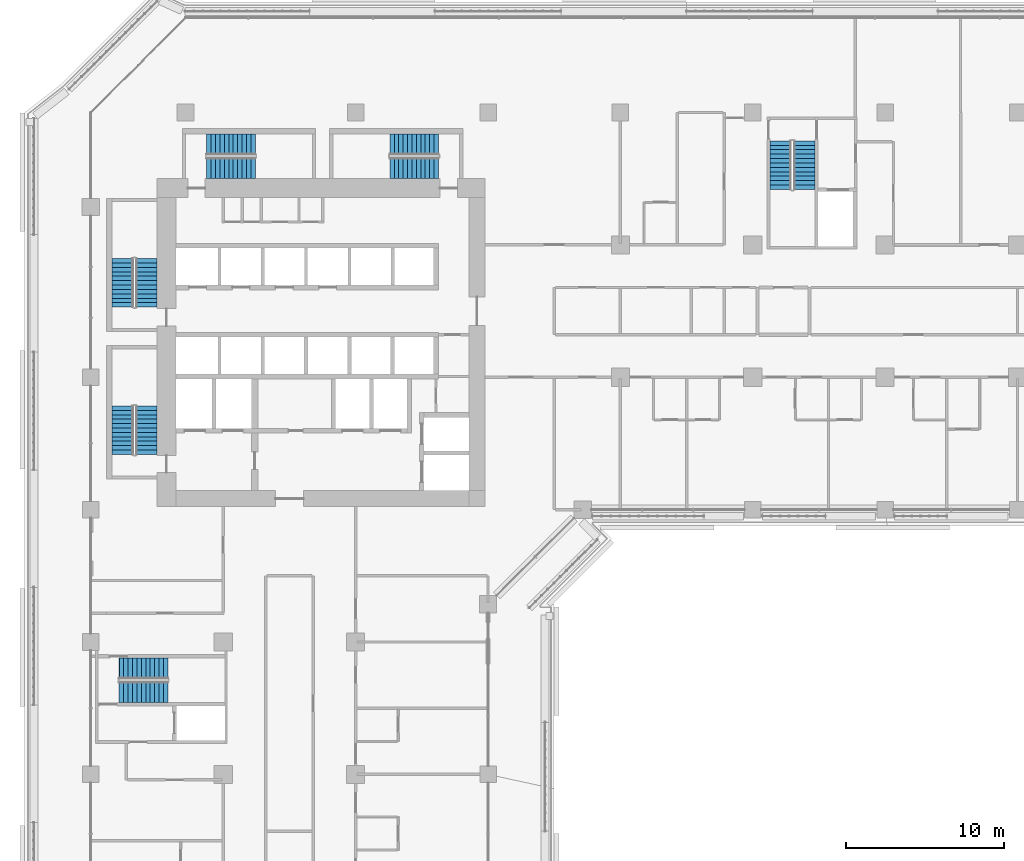
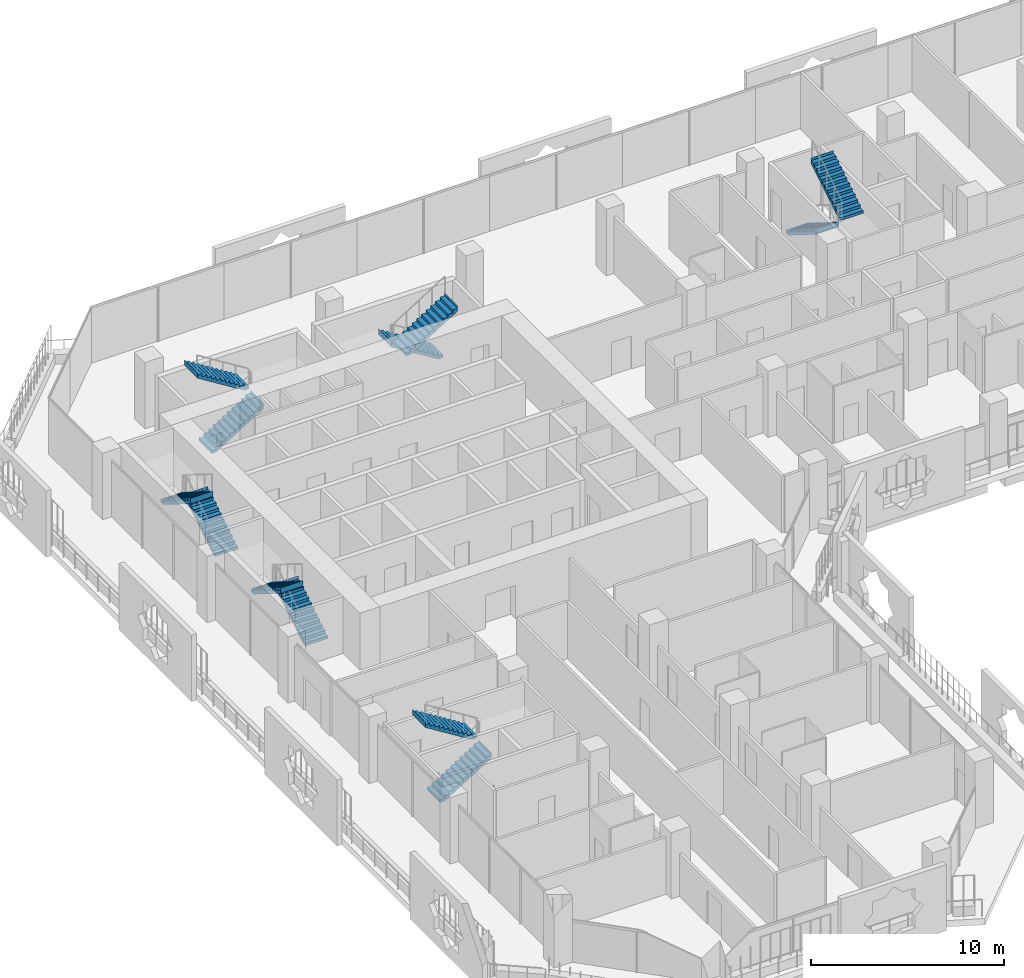
# One storey, part 18 of 25: 12 stair flights, 6 elements without a shape of their own.
"""IFC4 building model written with IfcOpenShell, lengths in metres."""

import ifcopenshell
import ifcopenshell.guid

model = None  # the IFC model being written
_history = None  # IfcOwnerHistory: only IFC2X3 demands one
_inside = {}  # id of a spatial element -> (the spatial element, [elements in it])
_under = {}  # id of a project, library or spatial element -> (it, [spatial elements below it])
_declared = {}  # id of a project -> (the project, [libraries it declares])
_typed = {}  # id of a type object -> (the type object, [elements of that type])
_made_of = {}  # id of a material, layer set ... -> (it, [elements and type objects made of it])


def new_model(schema):
    """Start an empty IFC model of exactly this schema.

    Asked for "IFC4X3", IfcOpenShell would pick the latest addendum, in which some entities
    have other attributes; the version numbers below select the first issue.
    IFC2X3 requires an IfcOwnerHistory on every rooted entity: one is made here for all.
    """
    global model, _history
    if schema == "IFC4X3":
        model = ifcopenshell.file(schema_version=(4, 3, 0, 0))
    else:
        model = ifcopenshell.file(schema=schema)
    _inside.clear()
    _under.clear()
    _declared.clear()
    _typed.clear()
    _made_of.clear()
    _history = None
    if model.schema == "IFC2X3":
        org = make("IfcOrganization", Name="unknown")
        user = make(
            "IfcPersonAndOrganization",
            ThePerson=make("IfcPerson", FamilyName="unknown"),
            TheOrganization=org,
        )
        app = make(
            "IfcApplication",
            ApplicationDeveloper=org,
            Version="unknown",
            ApplicationFullName="unknown",
            ApplicationIdentifier="unknown",
        )
        _history = make(
            "IfcOwnerHistory",
            OwningUser=user,
            OwningApplication=app,
            ChangeAction="ADDED",
            CreationDate=0,
        )
    return model


def make(cls, **values):
    """One entity of the class cls with the attributes given. An attribute that is None is left unset."""
    return model.create_entity(
        cls, **{name: value for name, value in values.items() if value is not None}
    )


def rooted(cls, **values):
    """An entity with a GlobalId (a new one), such as an element, a storey or a relation."""
    return make(cls, GlobalId=ifcopenshell.guid.new(), OwnerHistory=_history, **values)


def si_unit(unit_type, name, prefix=None):
    """IfcSIUnit, for example si_unit("LENGTHUNIT", "METRE", prefix="MILLI")."""
    return make("IfcSIUnit", UnitType=unit_type, Prefix=prefix, Name=name)


def assignment(units):
    """IfcUnitAssignment: the units of a project."""
    return None if units is None else make("IfcUnitAssignment", Units=units)


def point(xyz):
    """IfcCartesianPoint."""
    return None if xyz is None else make("IfcCartesianPoint", Coordinates=xyz)


def direction(xyz):
    """IfcDirection."""
    return None if xyz is None else make("IfcDirection", DirectionRatios=xyz)


def frame(location, z_axis=None, x_axis=None):
    """IfcAxis2Placement3D, a coordinate frame: its origin and axes. An axis left out is left unset."""
    return make(
        "IfcAxis2Placement3D",
        Location=point(location),
        Axis=direction(z_axis),
        RefDirection=direction(x_axis),
    )


def origin():
    """The frame at (0, 0, 0) with its axes left unset."""
    return frame((0.0, 0.0, 0.0))


def place(relative_to, where):
    """IfcLocalPlacement: puts the frame where relative to a parent placement (None: the world)."""
    return make(
        "IfcLocalPlacement", PlacementRelTo=relative_to, RelativePlacement=where
    )


def context(
    kind, dimensions, precision=None, world=None, true_north=None, identifier=None
):
    """IfcGeometricRepresentationContext, for example the 3D "Model" context."""
    return make(
        "IfcGeometricRepresentationContext",
        ContextIdentifier=identifier,
        ContextType=kind,
        CoordinateSpaceDimension=dimensions,
        Precision=precision,
        WorldCoordinateSystem=world,
        TrueNorth=true_north,
    )


def subcontext(parent, identifier, kind, view, scale=None):
    """IfcGeometricRepresentationSubContext, for example "Body" below "Model"."""
    return make(
        "IfcGeometricRepresentationSubContext",
        ContextIdentifier=identifier,
        ContextType=kind,
        ParentContext=parent,
        TargetScale=scale,
        TargetView=view,
    )


def project(units=None, contexts=None):
    """IfcProject with its units and contexts."""
    return rooted(
        "IfcProject",
        Name="project",
        RepresentationContexts=contexts,
        UnitsInContext=assignment(units),
    )


def spatial(cls, under=None, at=None, **own):
    """A site, building, storey or space (cls), placed at a placement, below another one or the project."""
    s = rooted(cls, ObjectPlacement=at, **own)
    if under is not None:
        _under.setdefault(under.id(), (under, []))[1].append(s)
    return s


def polyline(points):
    """IfcPolyline through the points."""
    return make("IfcPolyline", Points=[point(p) for p in points])


def outline(outer, holes=None, kind="AREA"):
    """IfcArbitraryClosedProfileDef: a profile drawn as a closed curve; with holes, ...WithVoids."""
    if holes is None:
        return make("IfcArbitraryClosedProfileDef", ProfileType=kind, OuterCurve=outer)
    return make(
        "IfcArbitraryProfileDefWithVoids",
        ProfileType=kind,
        OuterCurve=outer,
        InnerCurves=holes,
    )


def extrude(swept, where, along, depth):
    """IfcExtrudedAreaSolid: the profile swept, set in the frame where, extruded along a direction by depth."""
    return make(
        "IfcExtrudedAreaSolid",
        SweptArea=swept,
        Position=where,
        ExtrudedDirection=direction(along),
        Depth=depth,
    )


def shape(context_of_items, identifier, shape_type, items):
    """IfcShapeRepresentation: the items that make up one representation, for example the "Body"."""
    return make(
        "IfcShapeRepresentation",
        ContextOfItems=context_of_items,
        RepresentationIdentifier=identifier,
        RepresentationType=shape_type,
        Items=items,
    )


def material(Name=None, Category=None):
    """IfcMaterial."""
    return make("IfcMaterial", Name=Name, Category=Category)


def made_of(thing, what):
    """Note that an element or type object is made of a material, layer set ...; save() writes the relation."""
    if what is not None:
        _made_of.setdefault(what.id(), (what, []))[1].append(thing)
    return thing


def type_object(cls, material=None, **own):
    """A type object (cls), such as IfcWallType, which elements share."""
    return made_of(rooted(cls, **own), material)


def element(
    cls,
    number,
    at=None,
    inside=None,
    cuts=None,
    type_object=None,
    material=None,
    context=None,
    identifier="Body",
    shape_type=None,
    held_by="IfcProductDefinitionShape",
    body=None,
    shapes=None,
    **own,
):
    """One element of the class cls, such as IfcWall. Its Tag is "e" and its number.

    at: its placement. inside: the storey or other place that contains it. cuts: it is an
    opening in that element (IfcRelVoidsElement). A single representation is given by context,
    identifier, shape_type and body (its items); several are given by shapes. held_by: the class
    of the entity that holds the representations. save() writes the other relations.
    """
    e = rooted(cls, Tag="e%d" % number, ObjectPlacement=at, **own)
    if body is not None:
        shapes = [shape(context, identifier, shape_type, body)]
    if shapes is not None:
        e.Representation = make(held_by, Representations=shapes)
    if inside is not None:
        _inside.setdefault(inside.id(), (inside, []))[1].append(e)
    if cuts is not None:
        rooted(
            "IfcRelVoidsElement", RelatingBuildingElement=cuts, RelatedOpeningElement=e
        )
    if type_object is not None:
        _typed.setdefault(type_object.id(), (type_object, []))[1].append(e)
    return made_of(e, material)


def aggregate(whole, parts):
    """IfcRelAggregates: a whole, such as a stair, and the parts it consists of."""
    return rooted("IfcRelAggregates", RelatingObject=whole, RelatedObjects=parts)


def save(model, path):
    """Write the relations noted so far, then the file.

    IfcRelAggregates (storeys below a building ...), IfcRelContainedInSpatialStructure (elements
    in a storey), IfcRelDefinesByType, IfcRelAssociatesMaterial and IfcRelDeclares: one each for
    every whole, place, type object, material and project.
    """
    for whole, parts in _under.values():
        aggregate(whole, parts)
    for where, things in _inside.values():
        rooted(
            "IfcRelContainedInSpatialStructure",
            RelatedElements=things,
            RelatingStructure=where,
        )
    for kind, things in _typed.values():
        rooted("IfcRelDefinesByType", RelatedObjects=things, RelatingType=kind)
    for what, things in _made_of.values():
        rooted("IfcRelAssociatesMaterial", RelatedObjects=things, RelatingMaterial=what)
    for by, libraries in _declared.values():
        rooted("IfcRelDeclares", RelatingContext=by, RelatedDefinitions=libraries)
    model.write(path)


model = new_model("IFC4")

# Units and contexts
model_context = context("Model", 3, precision=1e-05, world=origin(), true_north=direction((0.0, 1.0)))
body_context = subcontext(model_context, "Body", "Model", "MODEL_VIEW")
ifc_project = project(units=[si_unit("LENGTHUNIT", "METRE"), si_unit("AREAUNIT", "SQUARE_METRE"), si_unit("VOLUMEUNIT", "CUBIC_METRE"), si_unit("PLANEANGLEUNIT", "RADIAN"), si_unit("MASSUNIT", "GRAM", prefix="KILO")], contexts=[model_context])

# Site, building, storey
site_placement = place(None, origin())
site = spatial("IfcSite", under=ifc_project, at=site_placement, CompositionType="ELEMENT")
building_placement = place(site_placement, origin())
building = spatial("IfcBuilding", under=site, at=building_placement, Name="Kawkab Arch Medical Tower", CompositionType="ELEMENT")
storey_placement = place(building_placement, frame((0.0, 0.0, 140.800048828125)))
storey = spatial("IfcBuildingStorey", under=building, at=storey_placement, Name="L32", CompositionType="ELEMENT", Elevation=140.800048828125)

# Stair, stair flights
ifc_material_1 = material(Name="Concrete C40/50", Category="concrete")
stair_type = type_object("IfcStairType", Name="Exit stair 1350", PredefinedType="HALF_TURN_STAIR", material=ifc_material_1)
placement = place(storey_placement, origin())
stair_1 = element("IfcStair", 1, at=placement, inside=storey, type_object=stair_type, Name="L32 Exit stair ST1", PredefinedType="HALF_TURN_STAIR")
ifc_material_2 = material(Name="Concrete C40/50", Category="concrete")
stair_flight_type = type_object("IfcStairFlightType", Name="Exit stair flight 1350", PredefinedType="STRAIGHT", material=ifc_material_2)
stair_flight_1_placement = place(storey_placement, frame((3.52490234375, -12.35009765625, 0.0), z_axis=(0.0, 0.0, 1.0), x_axis=(0.0, 1.0, 0.0)))
stair_flight_1 = element("IfcStairFlight", 2, at=stair_flight_1_placement, type_object=stair_flight_type, Name="ST1 flight 1", NumberOfRisers=12, NumberOfTreads=11, PredefinedType="STRAIGHT", RiserHeight=0.175, TreadLength=0.28, context=body_context, shape_type="SweptSolid", body=[
    extrude(outline(polyline([(-0.0029296875, 0.0), (-0.0029296875, 0.175048828125), (0.0, 0.175048828125), (0.280029296875, 0.175048828125), (0.280029296875, 0.35009765625), (0.56005859375, 0.35009765625), (0.56005859375, 0.52490234375), (0.840087890625, 0.52490234375), (0.840087890625, 0.699951171875), (1.1201171875, 0.699951171875), (1.1201171875, 0.875), (1.39990234375, 0.875), (1.39990234375, 1.050048828125), (1.679931640625, 1.050048828125), (1.679931640625, 1.22509765625), (1.9599609375, 1.22509765625), (1.9599609375, 1.39990234375), (2.239990234375, 1.39990234375), (2.239990234375, 1.574951171875), (2.52001953125, 1.574951171875), (2.52001953125, 1.75), (2.800048828125, 1.75), (2.800048828125, 1.925048828125), (3.080078125, 1.925048828125), (3.080078125, 2.10009765625), (3.0830078125, 2.10009765625), (3.0830078125, 1.748291015625), (3.080078125, 1.748291015625), (0.28271484375, 0.0), (-0.0029296875, 0.0)])), frame((0.0, 0.675048828125, 0.0), z_axis=(0.0, -1.0, 0.0), x_axis=(1.0, 0.0, 0.0)), (0.0, 0.0, 1.0), 1.35009765625),
])
stair_flight_2_placement = place(storey_placement, frame((2.02490234375, -9.27001953125, 2.099853515625), z_axis=(0.0, 0.0, 1.0), x_axis=(0.0, -1.0, 0.0)))
stair_flight_2 = element("IfcStairFlight", 3, at=stair_flight_2_placement, type_object=stair_flight_type, Name="ST1 flight 2", NumberOfRisers=12, NumberOfTreads=11, PredefinedType="STRAIGHT", RiserHeight=0.175, TreadLength=0.28, context=body_context, shape_type="SweptSolid", body=[
    extrude(outline(polyline([(-0.0029296875, 0.0), (-0.0029296875, 0.175048828125), (0.0, 0.175048828125), (0.280029296875, 0.175048828125), (0.280029296875, 0.35009765625), (0.56005859375, 0.35009765625), (0.56005859375, 0.52490234375), (0.840087890625, 0.52490234375), (0.840087890625, 0.699951171875), (1.1201171875, 0.699951171875), (1.1201171875, 0.875), (1.39990234375, 0.875), (1.39990234375, 1.050048828125), (1.679931640625, 1.050048828125), (1.679931640625, 1.22509765625), (1.9599609375, 1.22509765625), (1.9599609375, 1.39990234375), (2.239990234375, 1.39990234375), (2.239990234375, 1.574951171875), (2.52001953125, 1.574951171875), (2.52001953125, 1.75), (2.800048828125, 1.75), (2.800048828125, 1.925048828125), (3.080078125, 1.925048828125), (3.080078125, 2.10009765625), (3.0830078125, 2.10009765625), (3.0830078125, 1.748291015625), (3.080078125, 1.748291015625), (0.28271484375, 0.0), (-0.0029296875, 0.0)])), frame((0.0, 0.675048828125, 0.0), z_axis=(0.0, -1.0, 0.0), x_axis=(1.0, 0.0, 0.0)), (0.0, 0.0, 1.0), 1.35009765625),
])
aggregate(stair_1, [stair_flight_1, stair_flight_2])

stair_2 = element("IfcStair", 4, at=placement, inside=storey, type_object=stair_type, Name="L32 Exit stair ST2", PredefinedType="HALF_TURN_STAIR")
stair_flight_3_placement = place(storey_placement, frame((3.52490234375, -21.699951171875, 0.0), z_axis=(0.0, 0.0, 1.0), x_axis=(0.0, 1.0, 0.0)))
stair_flight_3 = element("IfcStairFlight", 5, at=stair_flight_3_placement, type_object=stair_flight_type, Name="ST2 flight 1", NumberOfRisers=12, NumberOfTreads=11, PredefinedType="STRAIGHT", RiserHeight=0.175, TreadLength=0.28, context=body_context, shape_type="SweptSolid", body=[
    extrude(outline(polyline([(-0.0029296875, 0.0), (-0.0029296875, 0.175048828125), (0.0, 0.175048828125), (0.280029296875, 0.175048828125), (0.280029296875, 0.35009765625), (0.56005859375, 0.35009765625), (0.56005859375, 0.52490234375), (0.840087890625, 0.52490234375), (0.840087890625, 0.699951171875), (1.1201171875, 0.699951171875), (1.1201171875, 0.875), (1.39990234375, 0.875), (1.39990234375, 1.050048828125), (1.679931640625, 1.050048828125), (1.679931640625, 1.22509765625), (1.9599609375, 1.22509765625), (1.9599609375, 1.39990234375), (2.239990234375, 1.39990234375), (2.239990234375, 1.574951171875), (2.52001953125, 1.574951171875), (2.52001953125, 1.75), (2.800048828125, 1.75), (2.800048828125, 1.925048828125), (3.080078125, 1.925048828125), (3.080078125, 2.10009765625), (3.0830078125, 2.10009765625), (3.0830078125, 1.748291015625), (3.080078125, 1.748291015625), (0.28271484375, 0.0), (-0.0029296875, 0.0)])), frame((0.0, 0.675048828125, 0.0), z_axis=(0.0, -1.0, 0.0), x_axis=(1.0, 0.0, 0.0)), (0.0, 0.0, 1.0), 1.35009765625),
])
stair_flight_4_placement = place(storey_placement, frame((2.02490234375, -18.6201171875, 2.099853515625), z_axis=(0.0, 0.0, 1.0), x_axis=(0.0, -1.0, 0.0)))
stair_flight_4 = element("IfcStairFlight", 6, at=stair_flight_4_placement, type_object=stair_flight_type, Name="ST2 flight 2", NumberOfRisers=12, NumberOfTreads=11, PredefinedType="STRAIGHT", RiserHeight=0.175, TreadLength=0.28, context=body_context, shape_type="SweptSolid", body=[
    extrude(outline(polyline([(-0.0029296875, 0.0), (-0.0029296875, 0.175048828125), (0.0, 0.175048828125), (0.280029296875, 0.175048828125), (0.280029296875, 0.35009765625), (0.56005859375, 0.35009765625), (0.56005859375, 0.52490234375), (0.840087890625, 0.52490234375), (0.840087890625, 0.699951171875), (1.1201171875, 0.699951171875), (1.1201171875, 0.875), (1.39990234375, 0.875), (1.39990234375, 1.050048828125), (1.679931640625, 1.050048828125), (1.679931640625, 1.22509765625), (1.9599609375, 1.22509765625), (1.9599609375, 1.39990234375), (2.239990234375, 1.39990234375), (2.239990234375, 1.574951171875), (2.52001953125, 1.574951171875), (2.52001953125, 1.75), (2.800048828125, 1.75), (2.800048828125, 1.925048828125), (3.080078125, 1.925048828125), (3.080078125, 2.10009765625), (3.0830078125, 2.10009765625), (3.0830078125, 1.748291015625), (3.080078125, 1.748291015625), (0.28271484375, 0.0), (-0.0029296875, 0.0)])), frame((0.0, 0.675048828125, 0.0), z_axis=(0.0, -1.0, 0.0), x_axis=(1.0, 0.0, 0.0)), (0.0, 0.0, 1.0), 1.35009765625),
])
aggregate(stair_2, [stair_flight_3, stair_flight_4])

stair_3 = element("IfcStair", 7, at=placement, inside=storey, type_object=stair_type, Name="L32 Exit stair ST3", PredefinedType="HALF_TURN_STAIR")
stair_flight_5_placement = place(storey_placement, frame((7.35009765625, -3.52490234375, 0.0), z_axis=(0.0, 0.0, 1.0), x_axis=(1.0, 0.0, 0.0)))
stair_flight_5 = element("IfcStairFlight", 8, at=stair_flight_5_placement, type_object=stair_flight_type, Name="ST3 flight 1", NumberOfRisers=12, NumberOfTreads=11, PredefinedType="STRAIGHT", RiserHeight=0.175, TreadLength=0.28, context=body_context, shape_type="SweptSolid", body=[
    extrude(outline(polyline([(-0.0029296875, 0.0), (-0.0029296875, 0.175048828125), (0.0, 0.175048828125), (0.280029296875, 0.175048828125), (0.280029296875, 0.35009765625), (0.56005859375, 0.35009765625), (0.56005859375, 0.52490234375), (0.840087890625, 0.52490234375), (0.840087890625, 0.699951171875), (1.1201171875, 0.699951171875), (1.1201171875, 0.875), (1.39990234375, 0.875), (1.39990234375, 1.050048828125), (1.679931640625, 1.050048828125), (1.679931640625, 1.22509765625), (1.9599609375, 1.22509765625), (1.9599609375, 1.39990234375), (2.239990234375, 1.39990234375), (2.239990234375, 1.574951171875), (2.52001953125, 1.574951171875), (2.52001953125, 1.75), (2.800048828125, 1.75), (2.800048828125, 1.925048828125), (3.080078125, 1.925048828125), (3.080078125, 2.10009765625), (3.0830078125, 2.10009765625), (3.0830078125, 1.748291015625), (3.080078125, 1.748291015625), (0.28271484375, 0.0), (-0.0029296875, 0.0)])), frame((0.0, 0.675048828125, 0.0), z_axis=(0.0, -1.0, 0.0), x_axis=(1.0, 0.0, 0.0)), (0.0, 0.0, 1.0), 1.35009765625),
])
stair_flight_6_placement = place(storey_placement, frame((10.429931640625, -2.02490234375, 2.099853515625), z_axis=(0.0, 0.0, 1.0), x_axis=(-1.0, 0.0, 0.0)))
stair_flight_6 = element("IfcStairFlight", 9, at=stair_flight_6_placement, type_object=stair_flight_type, Name="ST3 flight 2", NumberOfRisers=12, NumberOfTreads=11, PredefinedType="STRAIGHT", RiserHeight=0.175, TreadLength=0.28, context=body_context, shape_type="SweptSolid", body=[
    extrude(outline(polyline([(-0.0029296875, 0.0), (-0.0029296875, 0.175048828125), (0.0, 0.175048828125), (0.280029296875, 0.175048828125), (0.280029296875, 0.35009765625), (0.56005859375, 0.35009765625), (0.56005859375, 0.52490234375), (0.840087890625, 0.52490234375), (0.840087890625, 0.699951171875), (1.1201171875, 0.699951171875), (1.1201171875, 0.875), (1.39990234375, 0.875), (1.39990234375, 1.050048828125), (1.679931640625, 1.050048828125), (1.679931640625, 1.22509765625), (1.9599609375, 1.22509765625), (1.9599609375, 1.39990234375), (2.239990234375, 1.39990234375), (2.239990234375, 1.574951171875), (2.52001953125, 1.574951171875), (2.52001953125, 1.75), (2.800048828125, 1.75), (2.800048828125, 1.925048828125), (3.080078125, 1.925048828125), (3.080078125, 2.10009765625), (3.0830078125, 2.10009765625), (3.0830078125, 1.748291015625), (3.080078125, 1.748291015625), (0.28271484375, 0.0), (-0.0029296875, 0.0)])), frame((0.0, 0.675048828125, 0.0), z_axis=(0.0, -1.0, 0.0), x_axis=(1.0, 0.0, 0.0)), (0.0, 0.0, 1.0), 1.35009765625),
])
aggregate(stair_3, [stair_flight_5, stair_flight_6])

stair_4 = element("IfcStair", 10, at=placement, inside=storey, type_object=stair_type, Name="L32 Exit stair ST4", PredefinedType="HALF_TURN_STAIR")
stair_flight_7_placement = place(storey_placement, frame((22.050048828125, -2.02490234375, 0.0), z_axis=(0.0, 0.0, 1.0), x_axis=(-1.0, 0.0, 0.0)))
stair_flight_7 = element("IfcStairFlight", 11, at=stair_flight_7_placement, type_object=stair_flight_type, Name="ST4 flight 1", NumberOfRisers=12, NumberOfTreads=11, PredefinedType="STRAIGHT", RiserHeight=0.175, TreadLength=0.28, context=body_context, shape_type="SweptSolid", body=[
    extrude(outline(polyline([(-0.0029296875, 0.0), (-0.0029296875, 0.175048828125), (0.0, 0.175048828125), (0.280029296875, 0.175048828125), (0.280029296875, 0.35009765625), (0.56005859375, 0.35009765625), (0.56005859375, 0.52490234375), (0.840087890625, 0.52490234375), (0.840087890625, 0.699951171875), (1.1201171875, 0.699951171875), (1.1201171875, 0.875), (1.39990234375, 0.875), (1.39990234375, 1.050048828125), (1.679931640625, 1.050048828125), (1.679931640625, 1.22509765625), (1.9599609375, 1.22509765625), (1.9599609375, 1.39990234375), (2.239990234375, 1.39990234375), (2.239990234375, 1.574951171875), (2.52001953125, 1.574951171875), (2.52001953125, 1.75), (2.800048828125, 1.75), (2.800048828125, 1.925048828125), (3.080078125, 1.925048828125), (3.080078125, 2.10009765625), (3.0830078125, 2.10009765625), (3.0830078125, 1.748291015625), (3.080078125, 1.748291015625), (0.28271484375, 0.0), (-0.0029296875, 0.0)])), frame((0.0, 0.675048828125, 0.0), z_axis=(0.0, -1.0, 0.0), x_axis=(1.0, 0.0, 0.0)), (0.0, 0.0, 1.0), 1.35009765625),
])
stair_flight_8_placement = place(storey_placement, frame((18.969970703125, -3.52490234375, 2.099853515625), z_axis=(0.0, 0.0, 1.0), x_axis=(1.0, 0.0, 0.0)))
stair_flight_8 = element("IfcStairFlight", 12, at=stair_flight_8_placement, type_object=stair_flight_type, Name="ST4 flight 2", NumberOfRisers=12, NumberOfTreads=11, PredefinedType="STRAIGHT", RiserHeight=0.175, TreadLength=0.28, context=body_context, shape_type="SweptSolid", body=[
    extrude(outline(polyline([(-0.0029296875, 0.0), (-0.0029296875, 0.175048828125), (0.0, 0.175048828125), (0.280029296875, 0.175048828125), (0.280029296875, 0.35009765625), (0.56005859375, 0.35009765625), (0.56005859375, 0.52490234375), (0.840087890625, 0.52490234375), (0.840087890625, 0.699951171875), (1.1201171875, 0.699951171875), (1.1201171875, 0.875), (1.39990234375, 0.875), (1.39990234375, 1.050048828125), (1.679931640625, 1.050048828125), (1.679931640625, 1.22509765625), (1.9599609375, 1.22509765625), (1.9599609375, 1.39990234375), (2.239990234375, 1.39990234375), (2.239990234375, 1.574951171875), (2.52001953125, 1.574951171875), (2.52001953125, 1.75), (2.800048828125, 1.75), (2.800048828125, 1.925048828125), (3.080078125, 1.925048828125), (3.080078125, 2.10009765625), (3.0830078125, 2.10009765625), (3.0830078125, 1.748291015625), (3.080078125, 1.748291015625), (0.28271484375, 0.0), (-0.0029296875, 0.0)])), frame((0.0, 0.675048828125, 0.0), z_axis=(0.0, -1.0, 0.0), x_axis=(1.0, 0.0, 0.0)), (0.0, 0.0, 1.0), 1.35009765625),
])
aggregate(stair_4, [stair_flight_7, stair_flight_8])

stair_5 = element("IfcStair", 13, at=placement, inside=storey, type_object=stair_type, Name="L32 Exit stair ST5", PredefinedType="HALF_TURN_STAIR")
stair_flight_9_placement = place(storey_placement, frame((43.77490234375, -1.800048828125, 0.0), z_axis=(0.0, 0.0, 1.0), x_axis=(0.0, -1.0, 0.0)))
stair_flight_9 = element("IfcStairFlight", 14, at=stair_flight_9_placement, type_object=stair_flight_type, Name="ST5 flight 1", NumberOfRisers=12, NumberOfTreads=11, PredefinedType="STRAIGHT", RiserHeight=0.175, TreadLength=0.28, context=body_context, shape_type="SweptSolid", body=[
    extrude(outline(polyline([(-0.0029296875, 0.0), (-0.0029296875, 0.175048828125), (0.0, 0.175048828125), (0.280029296875, 0.175048828125), (0.280029296875, 0.35009765625), (0.56005859375, 0.35009765625), (0.56005859375, 0.52490234375), (0.840087890625, 0.52490234375), (0.840087890625, 0.699951171875), (1.1201171875, 0.699951171875), (1.1201171875, 0.875), (1.39990234375, 0.875), (1.39990234375, 1.050048828125), (1.679931640625, 1.050048828125), (1.679931640625, 1.22509765625), (1.9599609375, 1.22509765625), (1.9599609375, 1.39990234375), (2.239990234375, 1.39990234375), (2.239990234375, 1.574951171875), (2.52001953125, 1.574951171875), (2.52001953125, 1.75), (2.800048828125, 1.75), (2.800048828125, 1.925048828125), (3.080078125, 1.925048828125), (3.080078125, 2.10009765625), (3.0830078125, 2.10009765625), (3.0830078125, 1.748291015625), (3.080078125, 1.748291015625), (0.28271484375, 0.0), (-0.0029296875, 0.0)])), frame((0.0, 0.675048828125, 0.0), z_axis=(0.0, -1.0, 0.0), x_axis=(1.0, 0.0, 0.0)), (0.0, 0.0, 1.0), 1.35009765625),
])
stair_flight_10_placement = place(storey_placement, frame((45.27490234375, -4.8798828125, 2.099853515625), z_axis=(0.0, 0.0, 1.0), x_axis=(0.0, 1.0, 0.0)))
stair_flight_10 = element("IfcStairFlight", 15, at=stair_flight_10_placement, type_object=stair_flight_type, Name="ST5 flight 2", NumberOfRisers=12, NumberOfTreads=11, PredefinedType="STRAIGHT", RiserHeight=0.175, TreadLength=0.28, context=body_context, shape_type="SweptSolid", body=[
    extrude(outline(polyline([(-0.0029296875, 0.0), (-0.0029296875, 0.175048828125), (0.0, 0.175048828125), (0.280029296875, 0.175048828125), (0.280029296875, 0.35009765625), (0.56005859375, 0.35009765625), (0.56005859375, 0.52490234375), (0.840087890625, 0.52490234375), (0.840087890625, 0.699951171875), (1.1201171875, 0.699951171875), (1.1201171875, 0.875), (1.39990234375, 0.875), (1.39990234375, 1.050048828125), (1.679931640625, 1.050048828125), (1.679931640625, 1.22509765625), (1.9599609375, 1.22509765625), (1.9599609375, 1.39990234375), (2.239990234375, 1.39990234375), (2.239990234375, 1.574951171875), (2.52001953125, 1.574951171875), (2.52001953125, 1.75), (2.800048828125, 1.75), (2.800048828125, 1.925048828125), (3.080078125, 1.925048828125), (3.080078125, 2.10009765625), (3.0830078125, 2.10009765625), (3.0830078125, 1.748291015625), (3.080078125, 1.748291015625), (0.28271484375, 0.0), (-0.0029296875, 0.0)])), frame((0.0, 0.675048828125, 0.0), z_axis=(0.0, -1.0, 0.0), x_axis=(1.0, 0.0, 0.0)), (0.0, 0.0, 1.0), 1.35009765625),
])
aggregate(stair_5, [stair_flight_9, stair_flight_10])

stair_6 = element("IfcStair", 16, at=placement, inside=storey, type_object=stair_type, Name="L32 Exit stair ST6", PredefinedType="HALF_TURN_STAIR")
stair_flight_11_placement = place(storey_placement, frame((1.800048828125, -36.77490234375, 0.0), z_axis=(0.0, 0.0, 1.0), x_axis=(1.0, 0.0, 0.0)))
stair_flight_11 = element("IfcStairFlight", 17, at=stair_flight_11_placement, type_object=stair_flight_type, Name="ST6 flight 1", NumberOfRisers=12, NumberOfTreads=11, PredefinedType="STRAIGHT", RiserHeight=0.175, TreadLength=0.28, context=body_context, shape_type="SweptSolid", body=[
    extrude(outline(polyline([(-0.0029296875, 0.0), (-0.0029296875, 0.175048828125), (0.0, 0.175048828125), (0.280029296875, 0.175048828125), (0.280029296875, 0.35009765625), (0.56005859375, 0.35009765625), (0.56005859375, 0.52490234375), (0.840087890625, 0.52490234375), (0.840087890625, 0.699951171875), (1.1201171875, 0.699951171875), (1.1201171875, 0.875), (1.39990234375, 0.875), (1.39990234375, 1.050048828125), (1.679931640625, 1.050048828125), (1.679931640625, 1.22509765625), (1.9599609375, 1.22509765625), (1.9599609375, 1.39990234375), (2.239990234375, 1.39990234375), (2.239990234375, 1.574951171875), (2.52001953125, 1.574951171875), (2.52001953125, 1.75), (2.800048828125, 1.75), (2.800048828125, 1.925048828125), (3.080078125, 1.925048828125), (3.080078125, 2.10009765625), (3.0830078125, 2.10009765625), (3.0830078125, 1.748291015625), (3.080078125, 1.748291015625), (0.28271484375, 0.0), (-0.0029296875, 0.0)])), frame((0.0, 0.675048828125, 0.0), z_axis=(0.0, -1.0, 0.0), x_axis=(1.0, 0.0, 0.0)), (0.0, 0.0, 1.0), 1.35009765625),
])
stair_flight_12_placement = place(storey_placement, frame((4.8798828125, -35.27490234375, 2.099853515625), z_axis=(0.0, 0.0, 1.0), x_axis=(-1.0, 0.0, 0.0)))
stair_flight_12 = element("IfcStairFlight", 18, at=stair_flight_12_placement, type_object=stair_flight_type, Name="ST6 flight 2", NumberOfRisers=12, NumberOfTreads=11, PredefinedType="STRAIGHT", RiserHeight=0.175, TreadLength=0.28, context=body_context, shape_type="SweptSolid", body=[
    extrude(outline(polyline([(-0.0029296875, 0.0), (-0.0029296875, 0.175048828125), (0.0, 0.175048828125), (0.280029296875, 0.175048828125), (0.280029296875, 0.35009765625), (0.56005859375, 0.35009765625), (0.56005859375, 0.52490234375), (0.840087890625, 0.52490234375), (0.840087890625, 0.699951171875), (1.1201171875, 0.699951171875), (1.1201171875, 0.875), (1.39990234375, 0.875), (1.39990234375, 1.050048828125), (1.679931640625, 1.050048828125), (1.679931640625, 1.22509765625), (1.9599609375, 1.22509765625), (1.9599609375, 1.39990234375), (2.239990234375, 1.39990234375), (2.239990234375, 1.574951171875), (2.52001953125, 1.574951171875), (2.52001953125, 1.75), (2.800048828125, 1.75), (2.800048828125, 1.925048828125), (3.080078125, 1.925048828125), (3.080078125, 2.10009765625), (3.0830078125, 2.10009765625), (3.0830078125, 1.748291015625), (3.080078125, 1.748291015625), (0.28271484375, 0.0), (-0.0029296875, 0.0)])), frame((0.0, 0.675048828125, 0.0), z_axis=(0.0, -1.0, 0.0), x_axis=(1.0, 0.0, 0.0)), (0.0, 0.0, 1.0), 1.35009765625),
])
aggregate(stair_6, [stair_flight_11, stair_flight_12])

save(model, "model.ifc")
